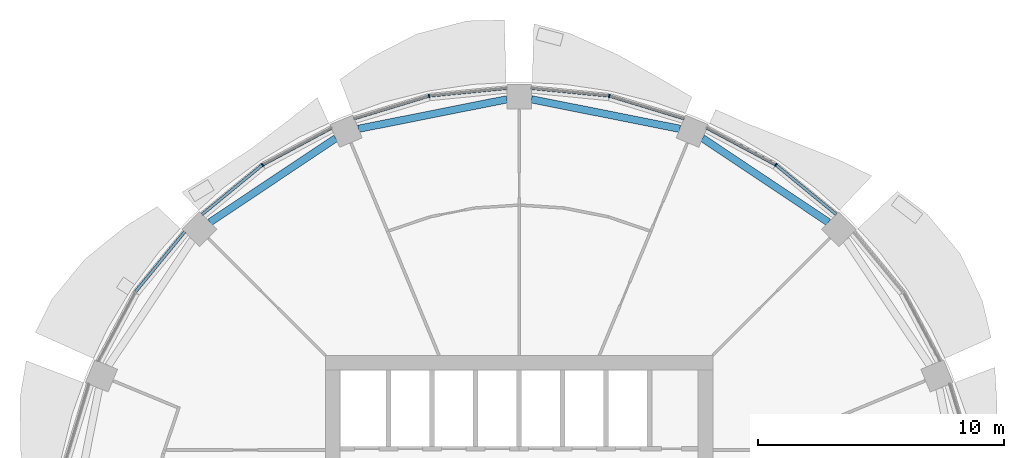
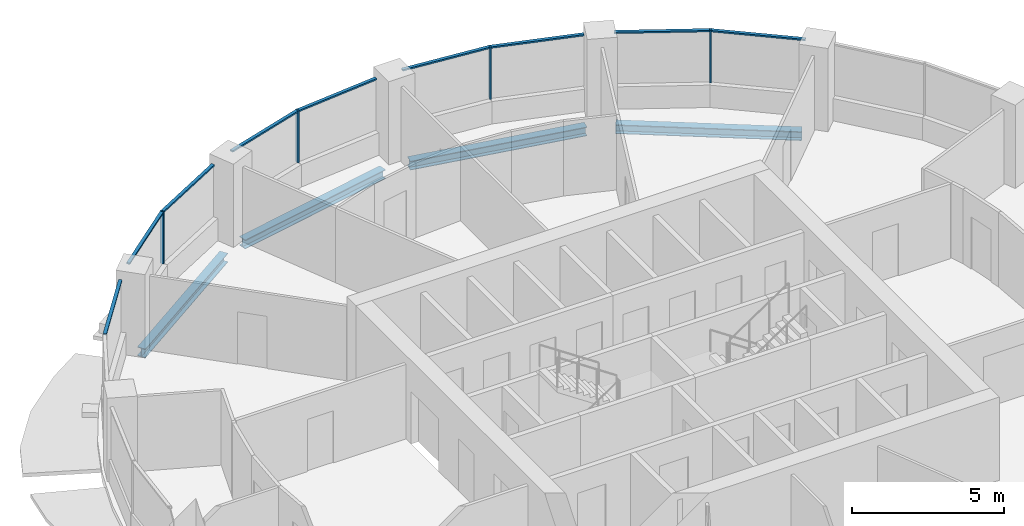
# One storey, part 6 of 15: 13 members, 4 beams, 5 elements without a shape of their own.
"""IFC4 building model written with IfcOpenShell, lengths in metres."""

from ifc_helpers import new_model, si_unit, direction, frame, origin, origin_2d, place, context, subcontext, project, spatial, rectangle, i_section, extrude, material, material_profile, profile_set, type_object, element, aggregate, save


model = new_model("IFC4")

# Units and contexts
model_context = context("Model", 3, precision=1e-05, world=origin(), true_north=direction((0.0, 1.0)))
body_context = subcontext(model_context, "Body", "Model", "MODEL_VIEW")
ifc_project = project(units=[si_unit("LENGTHUNIT", "METRE"), si_unit("AREAUNIT", "SQUARE_METRE"), si_unit("VOLUMEUNIT", "CUBIC_METRE"), si_unit("PLANEANGLEUNIT", "RADIAN"), si_unit("MASSUNIT", "GRAM", prefix="KILO")], contexts=[model_context])

# Site, building, storey
site_placement = place(None, origin())
site = spatial("IfcSite", under=ifc_project, at=site_placement, CompositionType="ELEMENT")
building_placement = place(site_placement, origin())
building = spatial("IfcBuilding", under=site, at=building_placement, Name="Polderwave Tower", CompositionType="ELEMENT")
storey_placement = place(building_placement, frame((0.0, 0.0, 137.699951171875)))
storey = spatial("IfcBuildingStorey", under=building, at=storey_placement, Name="L36", CompositionType="ELEMENT", Elevation=137.699951171875)

# Curtain wall, member
ifc_material_1 = material(Name="Aluminium 6063-T6 and glass", Category="aluminium")
curtain_wall_type = type_object("IfcCurtainWallType", Name="Office ribbon glazing wall", PredefinedType="NOTDEFINED", material=ifc_material_1)
curtain_wall_1_placement = place(storey_placement, origin())
curtain_wall_1 = element("IfcCurtainWall", 1, at=curtain_wall_1_placement, inside=storey, type_object=curtain_wall_type, Name="CW3 L36 02", PredefinedType="NOTDEFINED")
ifc_material_2 = material(Name="Aluminium 6063-T6", Category="aluminium")
ifc_material_profile_1 = material_profile(ifc_material_2, rectangle(XDim=0.139892578125, YDim=0.054931640625, at=origin_2d()), Name="AL 55x140")
ifc_profile_set_1 = profile_set([ifc_material_profile_1], Name="Aluminium 6063-T6")
member_type_1 = type_object("IfcMemberType", Name="Office ribbon glazing mullion 55x140", PredefinedType="MULLION", material=ifc_profile_set_1)
member_1_placement = place(storey_placement, frame((10.43408203125, 15.614990234375, 0.900146484375), z_axis=(0.0, 0.0, 1.0), x_axis=(-0.555657301267, -0.831411428565, 0.0)))
member_1 = element("IfcMember", 2, at=member_1_placement, type_object=member_type_1, Name="CW3 mullion 1", PredefinedType="MULLION", context=body_context, shape_type="SweptSolid", body=[
    extrude(rectangle(XDim=0.139892578125, YDim=0.054931640625, at=origin_2d()), origin(), (0.0, 0.0, 1.0), 2.099853515625),
])

curtain_wall_2_placement = place(storey_placement, origin())
curtain_wall_2 = element("IfcCurtainWall", 3, at=curtain_wall_2_placement, inside=storey, type_object=curtain_wall_type, Name="CW3 L36 03", PredefinedType="NOTDEFINED")
member_2_placement = place(storey_placement, frame((3.6640625, 18.4189453125, 0.900146484375), z_axis=(0.0, 0.0, 1.0), x_axis=(-0.195179334461, -0.980767570528, 0.0)))
member_2 = element("IfcMember", 4, at=member_2_placement, type_object=member_type_1, Name="CW3 mullion 1", PredefinedType="MULLION", context=body_context, shape_type="SweptSolid", body=[
    extrude(rectangle(XDim=0.139892578125, YDim=0.054931640625, at=origin_2d()), origin(), (0.0, 0.0, 1.0), 2.099853515625),
])

curtain_wall_3_placement = place(storey_placement, origin())
curtain_wall_3 = element("IfcCurtainWall", 5, at=curtain_wall_3_placement, inside=storey, type_object=curtain_wall_type, Name="CW3 L36 04", PredefinedType="NOTDEFINED")
member_3_placement = place(storey_placement, frame((-3.6640625, 18.4189453125, 0.900146484375), z_axis=(0.0, 0.0, 1.0), x_axis=(0.195179334461, -0.980767570528, 0.0)))
member_3 = element("IfcMember", 6, at=member_3_placement, type_object=member_type_1, Name="CW3 mullion 1", PredefinedType="MULLION", context=body_context, shape_type="SweptSolid", body=[
    extrude(rectangle(XDim=0.139892578125, YDim=0.054931640625, at=origin_2d()), origin(), (0.0, 0.0, 1.0), 2.099853515625),
])

curtain_wall_4_placement = place(storey_placement, origin())
curtain_wall_4 = element("IfcCurtainWall", 7, at=curtain_wall_4_placement, inside=storey, type_object=curtain_wall_type, Name="CW3 L36 05", PredefinedType="NOTDEFINED")
member_4_placement = place(storey_placement, frame((-10.43408203125, 15.614990234375, 0.900146484375), z_axis=(0.0, 0.0, 1.0), x_axis=(0.555657301267, -0.831411428565, 0.0)))
member_4 = element("IfcMember", 8, at=member_4_placement, type_object=member_type_1, Name="CW3 mullion 1", PredefinedType="MULLION", context=body_context, shape_type="SweptSolid", body=[
    extrude(rectangle(XDim=0.139892578125, YDim=0.054931640625, at=origin_2d()), origin(), (0.0, 0.0, 1.0), 2.099853515625),
])

# Member
ifc_material_profile_2 = material_profile(ifc_material_2, rectangle(XDim=0.1201171875, YDim=0.06005859375, at=origin_2d()), Name="AL 60x120")
ifc_profile_set_2 = profile_set([ifc_material_profile_2], Name="Aluminium 6063-T6")
member_type_2 = type_object("IfcMemberType", Name="Office ribbon glazing transom 60x120", PredefinedType="USERDEFINED", material=ifc_profile_set_2)
member_5_placement = place(storey_placement, frame((12.89111328125, 13.597900390625, 2.969970703125), z_axis=(-0.772893139863, 0.634536204131, 0.0), x_axis=(-0.634536204131, -0.772893139863, 0.0)))
member_5 = element("IfcMember", 9, at=member_5_placement, type_object=member_type_2, Name="CW3 transom 1", ObjectType="TRANSOM", PredefinedType="USERDEFINED", context=body_context, shape_type="SweptSolid", body=[
    extrude(rectangle(XDim=0.1201171875, YDim=0.06005859375, at=origin_2d()), origin(), (0.0, 0.0, 1.0), 3.151611328125),
])

member_6_placement = place(storey_placement, frame((10.40966796875, 15.6279296875, 2.969970703125), z_axis=(-0.88188725203, 0.471460363877, 0.0), x_axis=(-0.471460363877, -0.88188725203, 0.0)))
member_6 = element("IfcMember", 10, at=member_6_placement, type_object=member_type_2, Name="CW3 transom 2", ObjectType="TRANSOM", PredefinedType="USERDEFINED", context=body_context, shape_type="SweptSolid", body=[
    extrude(rectangle(XDim=0.1201171875, YDim=0.06005859375, at=origin_2d()), origin(), (0.0, 0.0, 1.0), 3.152099609375),
])

aggregate(curtain_wall_1, [member_1, member_5, member_6])

member_7_placement = place(storey_placement, frame((6.7060546875, 17.49609375, 2.969970703125), z_axis=(-0.956945534215, 0.290267539602, 0.0), x_axis=(-0.290267539602, -0.956945534215, 0.0)))
member_7 = element("IfcMember", 11, at=member_7_placement, type_object=member_type_2, Name="CW3 transom 1", ObjectType="TRANSOM", PredefinedType="USERDEFINED", context=body_context, shape_type="SweptSolid", body=[
    extrude(rectangle(XDim=0.1201171875, YDim=0.06005859375, at=origin_2d()), origin(), (0.0, 0.0, 1.0), 3.151611328125),
])

member_8_placement = place(storey_placement, frame((3.63671875, 18.421630859375, 2.969970703125), z_axis=(-0.995172762919, 0.09813853445, 0.0), x_axis=(-0.09813853445, -0.995172762919, 0.0)))
member_8 = element("IfcMember", 12, at=member_8_placement, type_object=member_type_2, Name="CW3 transom 2", ObjectType="TRANSOM", PredefinedType="USERDEFINED", context=body_context, shape_type="SweptSolid", body=[
    extrude(rectangle(XDim=0.1201171875, YDim=0.06005859375, at=origin_2d()), origin(), (0.0, 0.0, 1.0), 3.15185546875),
])

aggregate(curtain_wall_2, [member_2, member_7, member_8])

member_9_placement = place(storey_placement, frame((-0.5, 18.73095703125, 2.969970703125), z_axis=(-0.995172762919, -0.09813853445, 0.0), x_axis=(0.09813853445, -0.995172762919, 0.0)))
member_9 = element("IfcMember", 13, at=member_9_placement, type_object=member_type_2, Name="CW3 transom 1", ObjectType="TRANSOM", PredefinedType="USERDEFINED", context=body_context, shape_type="SweptSolid", body=[
    extrude(rectangle(XDim=0.1201171875, YDim=0.06005859375, at=origin_2d()), origin(), (0.0, 0.0, 1.0), 3.15185546875),
])

member_10_placement = place(storey_placement, frame((-3.690185546875, 18.410888671875, 2.969970703125), z_axis=(-0.956945534215, -0.290267539602, 0.0), x_axis=(0.290267539602, -0.956945534215, 0.0)))
member_10 = element("IfcMember", 14, at=member_10_placement, type_object=member_type_2, Name="CW3 transom 2", ObjectType="TRANSOM", PredefinedType="USERDEFINED", context=body_context, shape_type="SweptSolid", body=[
    extrude(rectangle(XDim=0.1201171875, YDim=0.06005859375, at=origin_2d()), origin(), (0.0, 0.0, 1.0), 3.151611328125),
])

aggregate(curtain_wall_3, [member_3, member_9, member_10])

member_11_placement = place(storey_placement, frame((-7.6298828125, 17.114013671875, 2.969970703125), z_axis=(-0.88188725203, -0.471460363877, 0.0), x_axis=(0.471460363877, -0.88188725203, 0.0)))
member_11 = element("IfcMember", 15, at=member_11_placement, type_object=member_type_2, Name="CW3 transom 1", ObjectType="TRANSOM", PredefinedType="USERDEFINED", context=body_context, shape_type="SweptSolid", body=[
    extrude(rectangle(XDim=0.1201171875, YDim=0.06005859375, at=origin_2d()), origin(), (0.0, 0.0, 1.0), 3.152099609375),
])

member_12_placement = place(storey_placement, frame((-10.455322265625, 15.59765625, 2.969970703125), z_axis=(-0.772893139863, -0.634536204131, 0.0), x_axis=(0.634536204131, -0.772893139863, 0.0)))
member_12 = element("IfcMember", 16, at=member_12_placement, type_object=member_type_2, Name="CW3 transom 2", ObjectType="TRANSOM", PredefinedType="USERDEFINED", context=body_context, shape_type="SweptSolid", body=[
    extrude(rectangle(XDim=0.1201171875, YDim=0.06005859375, at=origin_2d()), origin(), (0.0, 0.0, 1.0), 3.151611328125),
])

aggregate(curtain_wall_4, [member_4, member_11, member_12])

# Curtain wall, member
curtain_wall_5_placement = place(storey_placement, origin())
curtain_wall_5 = element("IfcCurtainWall", 17, at=curtain_wall_5_placement, inside=storey, type_object=curtain_wall_type, Name="CW3 L36 06", PredefinedType="NOTDEFINED")
member_13_placement = place(storey_placement, frame((-13.597900390625, 12.89111328125, 2.969970703125), z_axis=(-0.634536204131, -0.772893139863, 0.0), x_axis=(0.772893139863, -0.634536204131, 0.0)))
member_13 = element("IfcMember", 18, at=member_13_placement, type_object=member_type_2, Name="CW3 transom 1", ObjectType="TRANSOM", PredefinedType="USERDEFINED", context=body_context, shape_type="SweptSolid", body=[
    extrude(rectangle(XDim=0.1201171875, YDim=0.06005859375, at=origin_2d()), origin(), (0.0, 0.0, 1.0), 3.151611328125),
])
aggregate(curtain_wall_5, [member_13])

# Beams
ifc_material_3 = material(Name="Steel S355", Category="steel")
ifc_material_profile_3 = material_profile(ifc_material_3, i_section(OverallWidth=0.300048828125, OverallDepth=0.360107421875, WebThickness=0.012451171875, FlangeThickness=0.0224609375, at=origin_2d()), Name="HE 360 B")
ifc_profile_set_3 = profile_set([ifc_material_profile_3], Name="Steel S355")
beam_type = type_object("IfcBeamType", Name="RING BEAM HE 360 B", PredefinedType="BEAM", material=ifc_profile_set_3)
beam_1_placement = place(storey_placement, frame((12.57275390625, 13.27978515625, -0.530029296875), z_axis=(-0.831463724506, 0.555579044629, 0.0), x_axis=(-0.555579044629, -0.831463724506, 0.0)))
element("IfcBeam", 19, at=beam_1_placement, inside=storey, type_object=beam_type, Name="ST-RB-L36-02", PredefinedType="BEAM", context=body_context, shape_type="SweptSolid", body=[
    extrude(i_section(OverallWidth=0.300048828125, OverallDepth=0.360107421875, WebThickness=0.012451171875, FlangeThickness=0.0224609375, at=origin_2d()), origin(), (0.0, 0.0, 1.0), 6.152099609375),
])
for number, where, z_axis, x_axis, name in (
    (20, (6.53369140625, 17.080322265625, -0.530029296875), (-0.9807846748, 0.195093366566, 0.0), (-0.195093366566, -0.9807846748, 0.0), "ST-RB-L36-03"),
    (21, (-0.5, 18.280517578125, -0.530029296875), (-0.9807846748, -0.195093366566, 0.0), (0.195093366566, -0.9807846748, 0.0), "ST-RB-L36-04"),
):
    element("IfcBeam", number, at=place(storey_placement, frame(where, z_axis=z_axis, x_axis=x_axis)), inside=storey, type_object=beam_type, Name=name, PredefinedType="BEAM", context=body_context, shape_type="SweptSolid", body=[
        extrude(i_section(OverallWidth=0.300048828125, OverallDepth=0.360107421875, WebThickness=0.012451171875, FlangeThickness=0.0224609375, at=origin_2d()), origin(), (0.0, 0.0, 1.0), 6.15185546875),
    ])
beam_2_placement = place(storey_placement, frame((-7.45751953125, 16.69775390625, -0.530029296875), z_axis=(-0.831463724506, -0.555579044629, 0.0), x_axis=(0.555579044629, -0.831463724506, 0.0)))
element("IfcBeam", 22, at=beam_2_placement, inside=storey, type_object=beam_type, Name="ST-RB-L36-05", PredefinedType="BEAM", context=body_context, shape_type="SweptSolid", body=[
    extrude(i_section(OverallWidth=0.300048828125, OverallDepth=0.360107421875, WebThickness=0.012451171875, FlangeThickness=0.0224609375, at=origin_2d()), origin(), (0.0, 0.0, 1.0), 6.152099609375),
])

save(model, "model.ifc")
